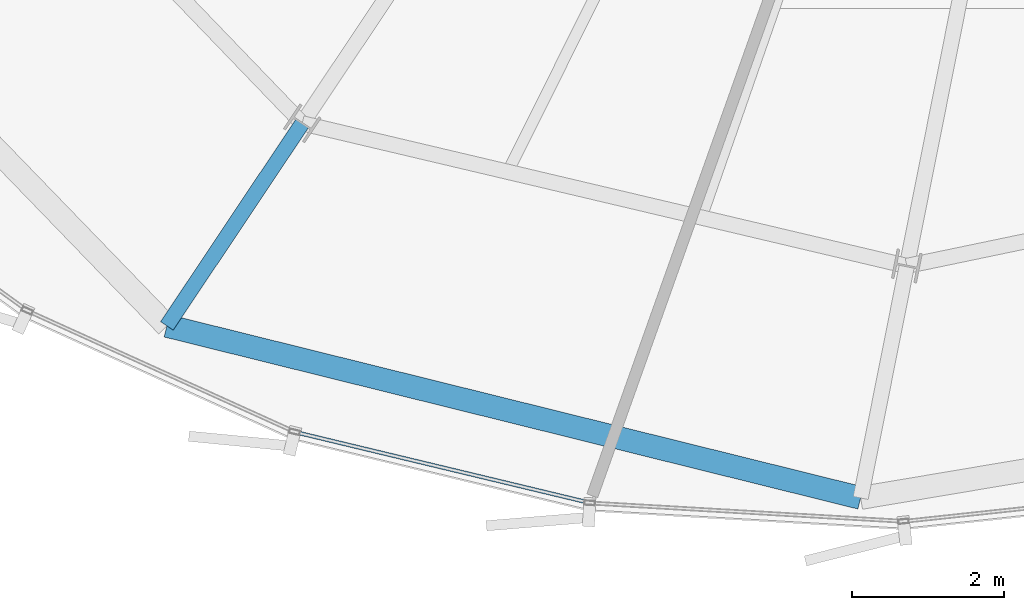
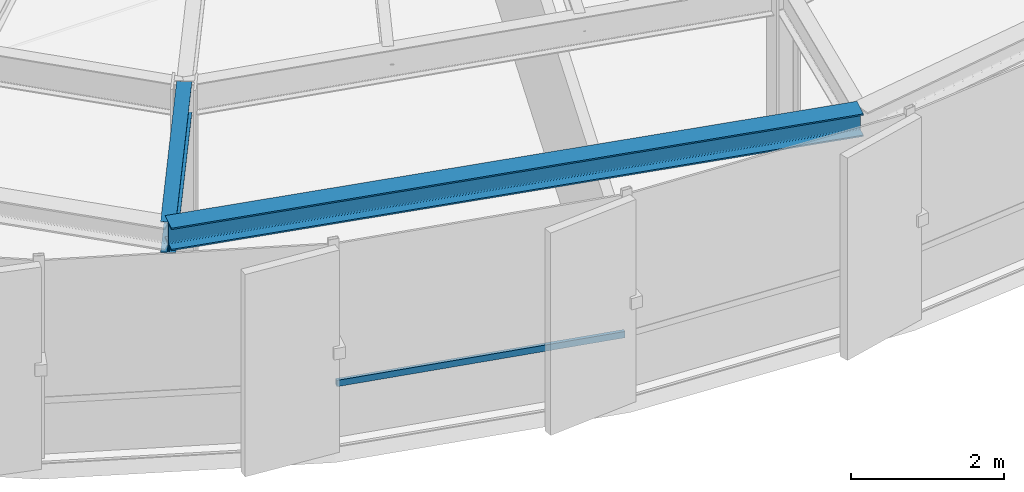
# One storey, part 3 of 35: 2 beams, 1 member, 1 element without a shape of its own.
"""IFC4 building model written with IfcOpenShell, lengths in metres."""

from ifc_helpers import new_model, si_unit, direction, frame, origin, origin_2d, place, context, subcontext, project, spatial, hollow_rectangle, i_section, extrude, source, transform, mapped, material, layer, layer_set, material_profile, profile_set, type_object, element, aggregate, save


model = new_model("IFC4")

# Units and contexts
model_context = context("Model", 3, precision=1e-05, world=origin(), true_north=direction((0.0, 1.0)))
body_context = subcontext(model_context, "Body", "Model", "MODEL_VIEW")
ifc_project = project(units=[si_unit("LENGTHUNIT", "METRE"), si_unit("AREAUNIT", "SQUARE_METRE"), si_unit("VOLUMEUNIT", "CUBIC_METRE"), si_unit("PLANEANGLEUNIT", "RADIAN"), si_unit("MASSUNIT", "GRAM", prefix="KILO"), si_unit("THERMODYNAMICTEMPERATUREUNIT", "KELVIN")], contexts=[model_context])

# Site, building, storey
site_placement = place(None, origin())
site = spatial("IfcSite", under=ifc_project, at=site_placement, CompositionType="ELEMENT")
building_placement = place(site_placement, origin())
building = spatial("IfcBuilding", under=site, at=building_placement, Name="Kethvar Cultural Tower", CompositionType="ELEMENT")
storey_placement = place(building_placement, frame((0.0, 0.0, 179.89990234375)))
storey = spatial("IfcBuildingStorey", under=building, at=storey_placement, Name="L46", CompositionType="ELEMENT", Elevation=179.89990234375)

# Beams
ifc_material_1 = material(Name="Steel S355J2", Category="steel")
ifc_material_profile_1 = material_profile(ifc_material_1, i_section(OverallWidth=0.199951171875, OverallDepth=0.5, WebThickness=0.01025390625, FlangeThickness=0.01611328125, FilletRadius=0.02099609375, at=origin_2d()), Name="Steel S355J2 — IPE500")
ifc_profile_set_1 = profile_set([ifc_material_profile_1], Name="Steel S355J2 — IPE500")
beam_type_1 = type_object("IfcBeamType", Name="BM-IPE500", PredefinedType="BEAM", material=ifc_profile_set_1)
shared_shape_1 = source(origin(), body_context, "Body", "SweptSolid", [
    extrude(i_section(OverallWidth=0.199951171875, OverallDepth=0.5, WebThickness=0.01025390625, FlangeThickness=0.01611328125, FilletRadius=0.02099609375, at=origin_2d()), origin(), (0.0, 0.0, 1.0), 3.199951171875),
])
beam_1_placement = place(storey_placement, frame((34.962646484375, 10.084228515625, 3.008056640625), z_axis=(-0.555580212716, -0.831462943996, 0.0), x_axis=(0.831462943996, -0.555580212716, 0.0)))
element("IfcBeam", 1, at=beam_1_placement, inside=storey, type_object=beam_type_1, Name="L46 Perimeter Cantilever Beam RC-11", PredefinedType="BEAM", context=body_context, shape_type="MappedRepresentation", body=[
    mapped(shared_shape_1, transform((0.0, 0.0, 0.0), scale=1.0)),
])
ifc_material_profile_2 = material_profile(ifc_material_1, i_section(OverallWidth=0.300048828125, OverallDepth=0.360107421875, WebThickness=0.012451171875, FlangeThickness=0.0224609375, FilletRadius=0.027099609375, at=origin_2d()), Name="Steel S355J2 — HEB360")
ifc_profile_set_2 = profile_set([ifc_material_profile_2], Name="Steel S355J2 — HEB360")
beam_type_2 = type_object("IfcBeamType", Name="BM-SP360", PredefinedType="SPANDREL", material=ifc_profile_set_2)
shared_shape_2 = source(origin(), body_context, "Body", "SweptSolid", [
    extrude(i_section(OverallWidth=0.300048828125, OverallDepth=0.360107421875, WebThickness=0.012451171875, FlangeThickness=0.0224609375, FilletRadius=0.027099609375, at=origin_2d()), origin(), (0.0, 0.0, 1.0), 9.388671875),
])
beam_2_placement = place(storey_placement, frame((33.184814453125, 7.423583984375, 3.078125), z_axis=(0.970601176677, -0.240693489386, 0.0), x_axis=(0.240693489386, 0.970601176677, 0.0)))
element("IfcBeam", 2, at=beam_2_placement, inside=storey, type_object=beam_type_2, Name="L46 Perimeter Spandrel Beam SP-11", PredefinedType="SPANDREL", context=body_context, shape_type="MappedRepresentation", body=[
    mapped(shared_shape_2, transform((0.0, 0.0, 0.0), scale=1.0)),
])

# Curtain wall, member
ifc_material_2 = material(Name="Aluminium 6063-T6", Category="aluminium")
ifc_layer = layer(ifc_material_2, 0.179931640625, Name="Aluminium 6063-T6", Category="aluminium")
ifc_layer_set = layer_set([ifc_layer], Name="Aluminium 6063-T6 (180 mm)")
curtain_wall_type = type_object("IfcCurtainWallType", Name="CW-SYS-04-Z34", PredefinedType="NOTDEFINED", material=ifc_layer_set)
curtain_wall_placement = place(storey_placement, origin())
curtain_wall = element("IfcCurtainWall", 3, at=curtain_wall_placement, inside=storey, type_object=curtain_wall_type, Name="L46 Curtain Wall Run 04", PredefinedType="NOTDEFINED")
ifc_material_profile_3 = material_profile(ifc_material_2, hollow_rectangle(XDim=0.050048828125, YDim=0.10009765625, WallThickness=0.00390625, at=origin_2d()), Name="Aluminium 6063-T6 — RHS100x50x4")
ifc_profile_set_3 = profile_set([ifc_material_profile_3], Name="Aluminium 6063-T6 — RHS100x50x4")
member_type = type_object("IfcMemberType", Name="CW-SYS-04-Z34-TRN", PredefinedType="USERDEFINED", material=ifc_profile_set_3)
shared_shape_3 = source(origin(), body_context, "Body", "SweptSolid", [
    extrude(hollow_rectangle(XDim=0.050048828125, YDim=0.10009765625, WallThickness=0.00390625, at=origin_2d()), origin(), (0.0, 0.0, 1.0), 3.919921875),
])
member_placement = place(storey_placement, frame((34.904296875, 6.02001953125, 0.9501953125), z_axis=(0.972371469723, -0.233438910359, 0.0), x_axis=(0.233438910359, 0.972371469723, 0.0)))
member = element("IfcMember", 4, at=member_placement, type_object=member_type, Name="CW-L46-R04 Transom 4", ObjectType="TRANSOM", PredefinedType="USERDEFINED", context=body_context, shape_type="MappedRepresentation", body=[
    mapped(shared_shape_3, transform((0.0, 0.0, 0.0), scale=1.0)),
])
aggregate(curtain_wall, [member])

save(model, "model.ifc")
